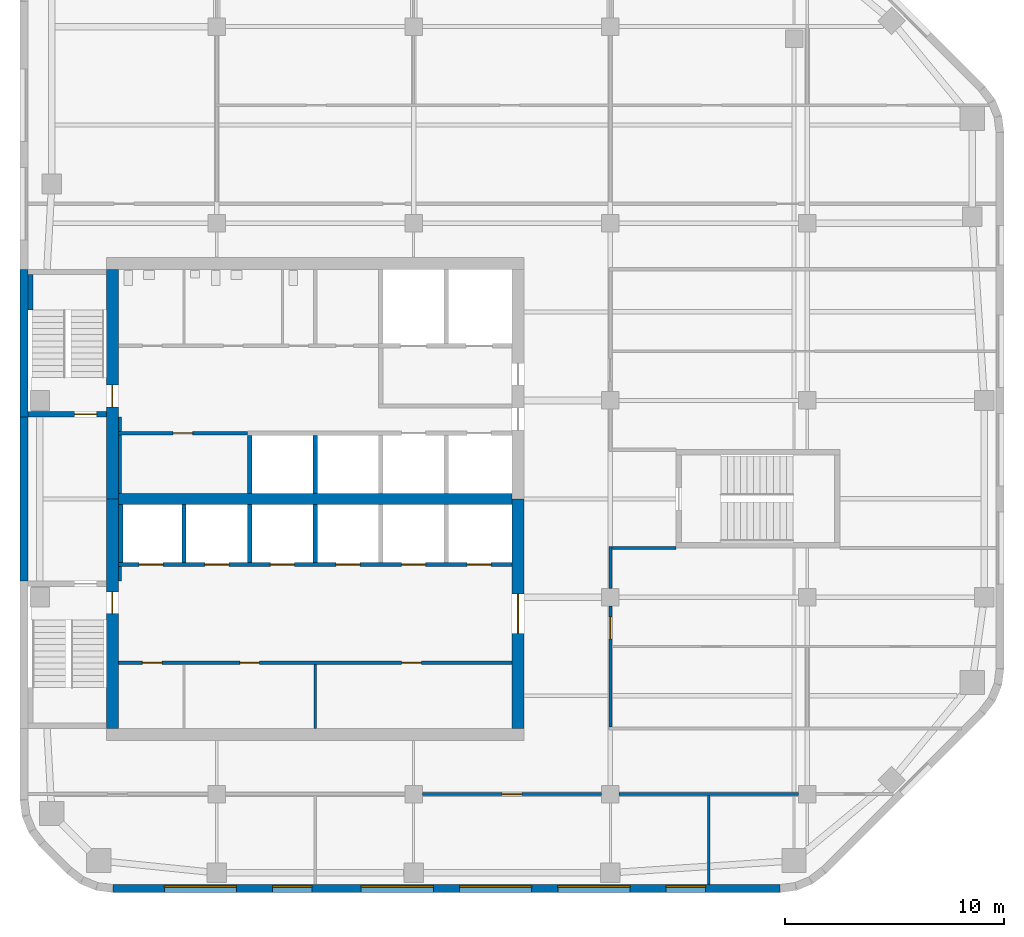
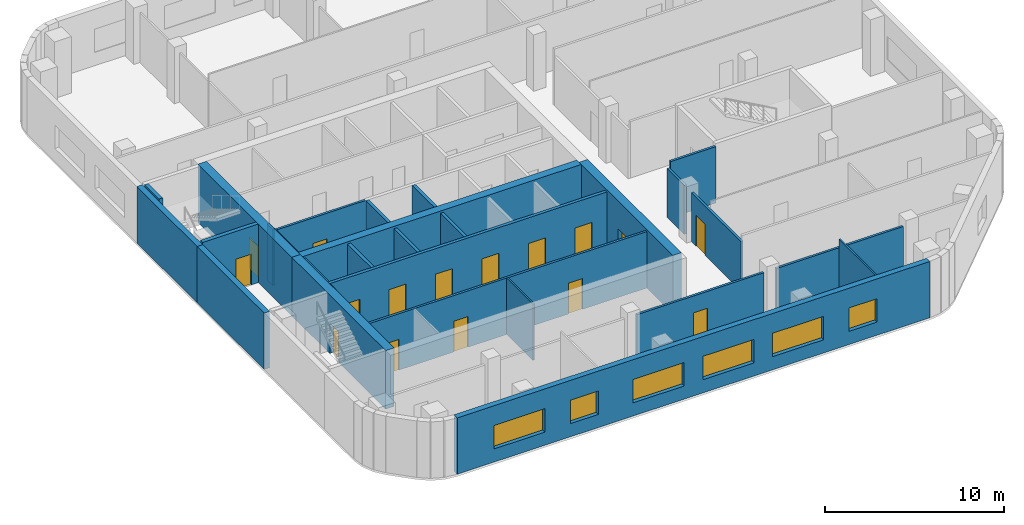
# One storey, part 3 of 8: 28 walls, 16 doors, 6 windows, 22 openings.
"""IFC4 building model written with IfcOpenShell, lengths in metres."""

from ifc_helpers import new_model, si_unit, direction, frame, frame_2d, origin, place, context, subcontext, project, spatial, rectangle, extrude, material, layer, layer_set, type_object, element, fill, save


model = new_model("IFC4")

# Units and contexts
model_context = context("Model", 3, precision=1e-05, world=origin(), true_north=direction((0.0, 1.0)))
body_context = subcontext(model_context, "Body", "Model", "MODEL_VIEW")
ifc_project = project(units=[si_unit("LENGTHUNIT", "METRE"), si_unit("AREAUNIT", "SQUARE_METRE"), si_unit("VOLUMEUNIT", "CUBIC_METRE"), si_unit("PLANEANGLEUNIT", "RADIAN"), si_unit("MASSUNIT", "GRAM", prefix="KILO")], contexts=[model_context])

# Site, building, storey
site_placement = place(None, origin())
site = spatial("IfcSite", under=ifc_project, at=site_placement, CompositionType="ELEMENT")
building_placement = place(site_placement, origin())
building = spatial("IfcBuilding", under=site, at=building_placement, Name="Cinnabar Reach Civic Tower", CompositionType="ELEMENT")
storey_placement = place(building_placement, frame((0.0, 0.0, 202.0)))
storey = spatial("IfcBuildingStorey", under=building, at=storey_placement, Name="L48", CompositionType="ELEMENT", Elevation=202.0)

# Wall, openings, windows
ifc_material_1 = material(Name="Facing brick with insulated backing", Category="masonry")
ifc_layer_1 = layer(ifc_material_1, 0.36)
ifc_layer_set_1 = layer_set([ifc_layer_1], Name="Brick pier and spandrel wall")
wall_type_1 = type_object("IfcWallType", Name="Brick pier and spandrel wall", PredefinedType="STANDARD", material=ifc_layer_set_1)
wall_1_placement = place(storey_placement, frame((4.2426, 13.68, 0.0), z_axis=(0.0, 0.0, 1.0), x_axis=(1.0, 0.0, 0.0)))
wall_1 = element("IfcWall", 1, at=wall_1_placement, inside=storey, type_object=wall_type_1, Name="Brick facade wall", PredefinedType="STANDARD", context=body_context, shape_type="SweptSolid", body=[
    extrude(rectangle(XDim=30.5148, YDim=0.36, at=frame_2d((15.2574, 0.0))), origin(), (0.0, 0.0, 1.0), 3.85),
])
opening_1_placement = place(wall_1_placement, frame((2.3574, 0.0, 0.9)))
opening_1 = element("IfcOpeningElement", 2, at=opening_1_placement, cuts=wall_1, Name="Opening W1980", PredefinedType="OPENING", context=body_context, shape_type="SweptSolid", body=[
    extrude(rectangle(XDim=3.3, YDim=1.6, at=frame_2d((1.65, 0.8))), frame((0.0, 0.19, 0.0), z_axis=(0.0, -1.0, 0.0), x_axis=(1.0, 0.0, 0.0)), (0.0, 0.0, 1.0), 0.38),
])
opening_2_placement = place(wall_1_placement, frame((7.3074, 0.0, 0.9)))
opening_2 = element("IfcOpeningElement", 3, at=opening_2_placement, cuts=wall_1, Name="Opening W1981", PredefinedType="OPENING", context=body_context, shape_type="SweptSolid", body=[
    extrude(rectangle(XDim=1.8, YDim=1.6, at=frame_2d((0.9, 0.8))), frame((0.0, 0.19, 0.0), z_axis=(0.0, -1.0, 0.0), x_axis=(1.0, 0.0, 0.0)), (0.0, 0.0, 1.0), 0.38),
])
opening_3_placement = place(wall_1_placement, frame((11.3574, 0.0, 0.9)))
opening_3 = element("IfcOpeningElement", 4, at=opening_3_placement, cuts=wall_1, Name="Opening W1982", PredefinedType="OPENING", context=body_context, shape_type="SweptSolid", body=[
    extrude(rectangle(XDim=3.3, YDim=1.6, at=frame_2d((1.65, 0.8))), frame((0.0, 0.19, 0.0), z_axis=(0.0, -1.0, 0.0), x_axis=(1.0, 0.0, 0.0)), (0.0, 0.0, 1.0), 0.38),
])
opening_4_placement = place(wall_1_placement, frame((15.8574, 0.0, 0.9)))
opening_4 = element("IfcOpeningElement", 5, at=opening_4_placement, cuts=wall_1, Name="Opening W1983", PredefinedType="OPENING", context=body_context, shape_type="SweptSolid", body=[
    extrude(rectangle(XDim=3.3, YDim=1.6, at=frame_2d((1.65, 0.8))), frame((0.0, 0.19, 0.0), z_axis=(0.0, -1.0, 0.0), x_axis=(1.0, 0.0, 0.0)), (0.0, 0.0, 1.0), 0.38),
])
opening_5_placement = place(wall_1_placement, frame((20.3574, 0.0, 0.9)))
opening_5 = element("IfcOpeningElement", 6, at=opening_5_placement, cuts=wall_1, Name="Opening W1984", PredefinedType="OPENING", context=body_context, shape_type="SweptSolid", body=[
    extrude(rectangle(XDim=3.3, YDim=1.6, at=frame_2d((1.65, 0.8))), frame((0.0, 0.19, 0.0), z_axis=(0.0, -1.0, 0.0), x_axis=(1.0, 0.0, 0.0)), (0.0, 0.0, 1.0), 0.38),
])
opening_6_placement = place(wall_1_placement, frame((25.3074, 0.0, 0.9)))
opening_6 = element("IfcOpeningElement", 7, at=opening_6_placement, cuts=wall_1, Name="Opening W1985", PredefinedType="OPENING", context=body_context, shape_type="SweptSolid", body=[
    extrude(rectangle(XDim=1.8, YDim=1.6, at=frame_2d((0.9, 0.8))), frame((0.0, 0.19, 0.0), z_axis=(0.0, -1.0, 0.0), x_axis=(1.0, 0.0, 0.0)), (0.0, 0.0, 1.0), 0.38),
])
ifc_material_2 = material(Name="Clear double glazing in aluminium frame", Category="aluminium")
window_type_1 = type_object("IfcWindowType", Name="Deep-set window A", PartitioningType="SINGLE_PANEL", PredefinedType="WINDOW", material=ifc_material_2)
window_1_placement = place(opening_1_placement, origin())
window_1 = element("IfcWindow", 8, at=window_1_placement, inside=storey, type_object=window_type_1, Name="Window south face", OverallHeight=1.6, OverallWidth=3.3, PartitioningType="SINGLE_PANEL", PredefinedType="WINDOW", context=body_context, shape_type="SweptSolid", body=[
    extrude(rectangle(XDim=3.3, YDim=1.6, at=frame_2d((1.65, 0.8))), frame((0.0, 0.13, 0.0), z_axis=(0.0, -1.0, 0.0), x_axis=(1.0, 0.0, 0.0)), (0.0, 0.0, 1.0), 0.06),
])
fill(opening_1, window_1)
window_2_placement = place(opening_3_placement, origin())
window_2 = element("IfcWindow", 9, at=window_2_placement, inside=storey, type_object=window_type_1, Name="Window south face", OverallHeight=1.6, OverallWidth=3.3, PartitioningType="SINGLE_PANEL", PredefinedType="WINDOW", context=body_context, shape_type="SweptSolid", body=[
    extrude(rectangle(XDim=3.3, YDim=1.6, at=frame_2d((1.65, 0.8))), frame((0.0, 0.13, 0.0), z_axis=(0.0, -1.0, 0.0), x_axis=(1.0, 0.0, 0.0)), (0.0, 0.0, 1.0), 0.06),
])
fill(opening_3, window_2)
window_3_placement = place(opening_4_placement, origin())
window_3 = element("IfcWindow", 10, at=window_3_placement, inside=storey, type_object=window_type_1, Name="Window south face", OverallHeight=1.6, OverallWidth=3.3, PartitioningType="SINGLE_PANEL", PredefinedType="WINDOW", context=body_context, shape_type="SweptSolid", body=[
    extrude(rectangle(XDim=3.3, YDim=1.6, at=frame_2d((1.65, 0.8))), frame((0.0, 0.13, 0.0), z_axis=(0.0, -1.0, 0.0), x_axis=(1.0, 0.0, 0.0)), (0.0, 0.0, 1.0), 0.06),
])
fill(opening_4, window_3)
window_4_placement = place(opening_5_placement, origin())
window_4 = element("IfcWindow", 11, at=window_4_placement, inside=storey, type_object=window_type_1, Name="Window south face", OverallHeight=1.6, OverallWidth=3.3, PartitioningType="SINGLE_PANEL", PredefinedType="WINDOW", context=body_context, shape_type="SweptSolid", body=[
    extrude(rectangle(XDim=3.3, YDim=1.6, at=frame_2d((1.65, 0.8))), frame((0.0, 0.13, 0.0), z_axis=(0.0, -1.0, 0.0), x_axis=(1.0, 0.0, 0.0)), (0.0, 0.0, 1.0), 0.06),
])
fill(opening_5, window_4)
window_type_2 = type_object("IfcWindowType", Name="Deep-set window D", PartitioningType="SINGLE_PANEL", PredefinedType="WINDOW", material=ifc_material_2)
window_5_placement = place(opening_2_placement, origin())
window_5 = element("IfcWindow", 12, at=window_5_placement, inside=storey, type_object=window_type_2, Name="Window south face", OverallHeight=1.6, OverallWidth=1.8, PartitioningType="SINGLE_PANEL", PredefinedType="WINDOW", context=body_context, shape_type="SweptSolid", body=[
    extrude(rectangle(XDim=1.8, YDim=1.6, at=frame_2d((0.9, 0.8))), frame((0.0, 0.13, 0.0), z_axis=(0.0, -1.0, 0.0), x_axis=(1.0, 0.0, 0.0)), (0.0, 0.0, 1.0), 0.06),
])
fill(opening_2, window_5)
window_6_placement = place(opening_6_placement, origin())
window_6 = element("IfcWindow", 13, at=window_6_placement, inside=storey, type_object=window_type_2, Name="Window south face", OverallHeight=1.6, OverallWidth=1.8, PartitioningType="SINGLE_PANEL", PredefinedType="WINDOW", context=body_context, shape_type="SweptSolid", body=[
    extrude(rectangle(XDim=1.8, YDim=1.6, at=frame_2d((0.9, 0.8))), frame((0.0, 0.13, 0.0), z_axis=(0.0, -1.0, 0.0), x_axis=(1.0, 0.0, 0.0)), (0.0, 0.0, 1.0), 0.06),
])
fill(opening_6, window_6)

# Walls
wall_2_placement = place(storey_placement, frame((0.18, 42.0, 0.0), z_axis=(0.0, 0.0, 1.0), x_axis=(0.0, -1.0, 0.0)))
element("IfcWall", 14, at=wall_2_placement, inside=storey, type_object=wall_type_1, Name="Brick facade wall", PredefinedType="STANDARD", context=body_context, shape_type="SweptSolid", body=[
    extrude(rectangle(XDim=6.75, YDim=0.36, at=frame_2d((3.375, 0.0))), origin(), (0.0, 0.0, 1.0), 3.85),
])
wall_3_placement = place(storey_placement, frame((0.18, 35.25, 0.0), z_axis=(0.0, 0.0, 1.0), x_axis=(0.0, -1.0, 0.0)))
element("IfcWall", 15, at=wall_3_placement, inside=storey, type_object=wall_type_1, Name="Brick facade wall", PredefinedType="STANDARD", context=body_context, shape_type="SweptSolid", body=[
    extrude(rectangle(XDim=7.5, YDim=0.36, at=frame_2d((3.75, 0.0))), origin(), (0.0, 0.0, 1.0), 3.85),
])
ifc_material_3 = material(Name="Concrete C60", Category="concrete")
ifc_layer_2 = layer(ifc_material_3, 0.5)
ifc_layer_set_2 = layer_set([ifc_layer_2], Name="Core wall 500 EI 180")
wall_type_2 = type_object("IfcWallType", Name="Core wall 500 EI 180", PredefinedType="SOLIDWALL", material=ifc_layer_set_2)
wall_4_placement = place(storey_placement, frame((4.5, 31.5, 0.0), z_axis=(0.0, 0.0, 1.0), x_axis=(1.0, 0.0, 0.0)))
element("IfcWall", 16, at=wall_4_placement, inside=storey, type_object=wall_type_2, Name="Core spine wall T1 L48", PredefinedType="SOLIDWALL", context=body_context, shape_type="SweptSolid", body=[
    extrude(rectangle(XDim=18.0, YDim=0.5, at=frame_2d((9.0, 0.0))), origin(), (0.0, 0.0, 1.0), 4.0),
])

# Wall, opening, door
ifc_layer_3 = layer(ifc_material_3, 0.55)
ifc_layer_set_3 = layer_set([ifc_layer_3], Name="Core wall 550 EI 180")
wall_type_3 = type_object("IfcWallType", Name="Core wall 550 EI 180", PredefinedType="SOLIDWALL", material=ifc_layer_set_3)
wall_5_placement = place(storey_placement, frame((22.775, 21.0, 0.0), z_axis=(0.0, 0.0, 1.0), x_axis=(0.0, 1.0, 0.0)))
wall_5 = element("IfcWall", 17, at=wall_5_placement, inside=storey, type_object=wall_type_3, Name="Core wall T1 L48 E", PredefinedType="SOLIDWALL", context=body_context, shape_type="SweptSolid", body=[
    extrude(rectangle(XDim=10.5, YDim=0.55, at=frame_2d((5.25, 0.0))), origin(), (0.0, 0.0, 1.0), 4.0),
])
opening_7_placement = place(wall_5_placement, frame((4.35, 0.0, 0.0)))
opening_7 = element("IfcOpeningElement", 18, at=opening_7_placement, cuts=wall_5, Name="Opening D4966", PredefinedType="OPENING", context=body_context, shape_type="SweptSolid", body=[
    extrude(rectangle(XDim=1.8, YDim=2.1, at=frame_2d((0.9, 1.05))), frame((0.0, 0.285, 0.0), z_axis=(0.0, -1.0, 0.0), x_axis=(1.0, 0.0, 0.0)), (0.0, 0.0, 1.0), 0.57),
])
ifc_material_4 = material(Name="Timber door leaf in steel frame", Category="steel")
door_type_1 = type_object("IfcDoorType", Name="Double swing door 1800 x 2100 T1", OperationType="DOUBLE_DOOR_DOUBLE_SWING", PredefinedType="DOOR", material=ifc_material_4)
door_1_placement = place(opening_7_placement, origin())
door_1 = element("IfcDoor", 19, at=door_1_placement, inside=storey, type_object=door_type_1, Name="Door D4966", OperationType="DOUBLE_DOOR_DOUBLE_SWING", OverallHeight=2.1, OverallWidth=1.8, PredefinedType="DOOR", context=body_context, shape_type="SweptSolid", body=[
    extrude(rectangle(XDim=1.8, YDim=2.1, at=frame_2d((0.9, 1.05))), frame((0.0, 0.025, 0.0), z_axis=(0.0, -1.0, 0.0), x_axis=(1.0, 0.0, 0.0)), (0.0, 0.0, 1.0), 0.05),
])
fill(opening_7, door_1)

wall_6_placement = place(storey_placement, frame((4.225, 42.0, 0.0), z_axis=(0.0, 0.0, 1.0), x_axis=(0.0, -1.0, 0.0)))
wall_6 = element("IfcWall", 20, at=wall_6_placement, inside=storey, type_object=wall_type_3, Name="Core wall T1 L48 W", PredefinedType="SOLIDWALL", context=body_context, shape_type="SweptSolid", body=[
    extrude(rectangle(XDim=10.5, YDim=0.55, at=frame_2d((5.25, 0.0))), origin(), (0.0, 0.0, 1.0), 4.0),
])
opening_8_placement = place(wall_6_placement, frame((5.3, 0.0, 0.0)))
opening_8 = element("IfcOpeningElement", 21, at=opening_8_placement, cuts=wall_6, Name="Opening D4954", PredefinedType="OPENING", context=body_context, shape_type="SweptSolid", body=[
    extrude(rectangle(XDim=1.0, YDim=2.1, at=frame_2d((0.5, 1.05))), frame((0.0, 0.285, 0.0), z_axis=(0.0, -1.0, 0.0), x_axis=(1.0, 0.0, 0.0)), (0.0, 0.0, 1.0), 0.57),
])
door_type_2 = type_object("IfcDoorType", Name="Stair door 1000 x 2100 T1", OperationType="SINGLE_SWING_LEFT", PredefinedType="DOOR", material=ifc_material_4)
door_2_placement = place(opening_8_placement, frame((1.0, 0.0, 0.0), z_axis=(0.0, 0.0, 1.0), x_axis=(-1.0, 0.0, 0.0)))
door_2 = element("IfcDoor", 22, at=door_2_placement, inside=storey, type_object=door_type_2, Name="Door D4954", OperationType="SINGLE_SWING_LEFT", OverallHeight=2.1, OverallWidth=1.0, PredefinedType="DOOR", context=body_context, shape_type="SweptSolid", body=[
    extrude(rectangle(XDim=1.0, YDim=2.1, at=frame_2d((0.5, 1.05))), frame((0.0, 0.025, 0.0), z_axis=(0.0, -1.0, 0.0), x_axis=(1.0, 0.0, 0.0)), (0.0, 0.0, 1.0), 0.05),
])
fill(opening_8, door_2)

wall_7_placement = place(storey_placement, frame((4.225, 31.5, 0.0), z_axis=(0.0, 0.0, 1.0), x_axis=(0.0, -1.0, 0.0)))
wall_7 = element("IfcWall", 23, at=wall_7_placement, inside=storey, type_object=wall_type_3, Name="Core wall T1 L48 W2", PredefinedType="SOLIDWALL", context=body_context, shape_type="SweptSolid", body=[
    extrude(rectangle(XDim=10.5, YDim=0.55, at=frame_2d((5.25, 0.0))), origin(), (0.0, 0.0, 1.0), 4.0),
])
opening_9_placement = place(wall_7_placement, frame((4.25, 0.0, 0.0)))
opening_9 = element("IfcOpeningElement", 24, at=opening_9_placement, cuts=wall_7, Name="Opening D4952", PredefinedType="OPENING", context=body_context, shape_type="SweptSolid", body=[
    extrude(rectangle(XDim=1.0, YDim=2.1, at=frame_2d((0.5, 1.05))), frame((0.0, 0.285, 0.0), z_axis=(0.0, -1.0, 0.0), x_axis=(1.0, 0.0, 0.0)), (0.0, 0.0, 1.0), 0.57),
])
door_3_placement = place(opening_9_placement, frame((1.0, 0.0, 0.0), z_axis=(0.0, 0.0, 1.0), x_axis=(-1.0, 0.0, 0.0)))
door_3 = element("IfcDoor", 25, at=door_3_placement, inside=storey, type_object=door_type_2, Name="Door D4952", OperationType="SINGLE_SWING_RIGHT", OverallHeight=2.1, OverallWidth=1.0, PredefinedType="DOOR", context=body_context, shape_type="SweptSolid", body=[
    extrude(rectangle(XDim=1.0, YDim=2.1, at=frame_2d((0.5, 1.05))), frame((0.0, 0.025, 0.0), z_axis=(0.0, -1.0, 0.0), x_axis=(1.0, 0.0, 0.0)), (0.0, 0.0, 1.0), 0.05),
])
fill(opening_9, door_3)

# Wall
ifc_material_5 = material(Name="Gypsum board on steel studs, double layer", Category="steel")
ifc_layer_4 = layer(ifc_material_5, 0.15)
ifc_layer_set_4 = layer_set([ifc_layer_4], Name="Corridor wall 150 T1")
wall_type_4 = type_object("IfcWallType", Name="Corridor wall 150 T1", PredefinedType="PARTITIONING", material=ifc_layer_set_4)
wall_8_placement = place(storey_placement, frame((27.4, 18.0, 0.0), z_axis=(0.0, 0.0, 1.0), x_axis=(1.0, 0.0, 0.0)))
element("IfcWall", 26, at=wall_8_placement, inside=storey, type_object=wall_type_4, Name="Corridor wall 20", PredefinedType="PARTITIONING", context=body_context, shape_type="SweptSolid", body=[
    extrude(rectangle(XDim=8.2, YDim=0.15, at=frame_2d((4.1, 0.0))), origin(), (0.0, 0.0, 1.0), 3.254),
])

# Wall, opening, door
wall_9_placement = place(storey_placement, frame((18.4, 18.0, 0.0), z_axis=(0.0, 0.0, 1.0), x_axis=(1.0, 0.0, 0.0)))
wall_9 = element("IfcWall", 27, at=wall_9_placement, inside=storey, type_object=wall_type_4, Name="Corridor wall 21", PredefinedType="PARTITIONING", context=body_context, shape_type="SweptSolid", body=[
    extrude(rectangle(XDim=8.2, YDim=0.15, at=frame_2d((4.1, 0.0))), origin(), (0.0, 0.0, 1.0), 3.254),
])
opening_10_placement = place(wall_9_placement, frame((3.65, 0.0, 0.0)))
opening_10 = element("IfcOpeningElement", 28, at=opening_10_placement, cuts=wall_9, Name="Opening D4984", PredefinedType="OPENING", context=body_context, shape_type="SweptSolid", body=[
    extrude(rectangle(XDim=0.9, YDim=2.1, at=frame_2d((0.45, 1.05))), frame((0.0, 0.085, 0.0), z_axis=(0.0, -1.0, 0.0), x_axis=(1.0, 0.0, 0.0)), (0.0, 0.0, 1.0), 0.17),
])
door_type_3 = type_object("IfcDoorType", Name="Single swing door 900 x 2100 corridor T1", OperationType="SINGLE_SWING_LEFT", PredefinedType="DOOR", material=ifc_material_4)
door_4_placement = place(opening_10_placement, frame((0.9, 0.0, 0.0), z_axis=(0.0, 0.0, 1.0), x_axis=(-1.0, 0.0, 0.0)))
door_4 = element("IfcDoor", 29, at=door_4_placement, inside=storey, type_object=door_type_3, Name="Door D4984", OperationType="SINGLE_SWING_LEFT", OverallHeight=2.1, OverallWidth=0.9, PredefinedType="DOOR", context=body_context, shape_type="SweptSolid", body=[
    extrude(rectangle(XDim=0.9, YDim=2.1, at=frame_2d((0.45, 1.05))), frame((0.0, 0.025, 0.0), z_axis=(0.0, -1.0, 0.0), x_axis=(1.0, 0.0, 0.0)), (0.0, 0.0, 1.0), 0.05),
])
fill(opening_10, door_4)

# Wall, openings, doors
wall_10_placement = place(storey_placement, frame((4.5, 24.0, 0.0), z_axis=(0.0, 0.0, 1.0), x_axis=(1.0, 0.0, 0.0)))
wall_10 = element("IfcWall", 30, at=wall_10_placement, inside=storey, type_object=wall_type_4, Name="Corridor wall 24", PredefinedType="PARTITIONING", context=body_context, shape_type="SweptSolid", body=[
    extrude(rectangle(XDim=18.0, YDim=0.15, at=frame_2d((9.0, 0.0))), origin(), (0.0, 0.0, 1.0), 3.85),
])
opening_11_placement = place(wall_10_placement, frame((1.1, 0.0, 0.0)))
opening_11 = element("IfcOpeningElement", 31, at=opening_11_placement, cuts=wall_10, Name="Opening D4970", PredefinedType="OPENING", context=body_context, shape_type="SweptSolid", body=[
    extrude(rectangle(XDim=0.9, YDim=2.1, at=frame_2d((0.45, 1.05))), frame((0.0, 0.085, 0.0), z_axis=(0.0, -1.0, 0.0), x_axis=(1.0, 0.0, 0.0)), (0.0, 0.0, 1.0), 0.17),
])
opening_12_placement = place(wall_10_placement, frame((5.55, 0.0, 0.0)))
opening_12 = element("IfcOpeningElement", 32, at=opening_12_placement, cuts=wall_10, Name="Opening D4971", PredefinedType="OPENING", context=body_context, shape_type="SweptSolid", body=[
    extrude(rectangle(XDim=0.9, YDim=2.1, at=frame_2d((0.45, 1.05))), frame((0.0, 0.085, 0.0), z_axis=(0.0, -1.0, 0.0), x_axis=(1.0, 0.0, 0.0)), (0.0, 0.0, 1.0), 0.17),
])
opening_13_placement = place(wall_10_placement, frame((12.95, 0.0, 0.0)))
opening_13 = element("IfcOpeningElement", 33, at=opening_13_placement, cuts=wall_10, Name="Opening D4972", PredefinedType="OPENING", context=body_context, shape_type="SweptSolid", body=[
    extrude(rectangle(XDim=0.9, YDim=2.1, at=frame_2d((0.45, 1.05))), frame((0.0, 0.085, 0.0), z_axis=(0.0, -1.0, 0.0), x_axis=(1.0, 0.0, 0.0)), (0.0, 0.0, 1.0), 0.17),
])
door_5_placement = place(opening_11_placement, frame((0.9, 0.0, 0.0), z_axis=(0.0, 0.0, 1.0), x_axis=(-1.0, 0.0, 0.0)))
door_5 = element("IfcDoor", 34, at=door_5_placement, inside=storey, type_object=door_type_3, Name="Door D4970", OperationType="SINGLE_SWING_RIGHT", OverallHeight=2.1, OverallWidth=0.9, PredefinedType="DOOR", context=body_context, shape_type="SweptSolid", body=[
    extrude(rectangle(XDim=0.9, YDim=2.1, at=frame_2d((0.45, 1.05))), frame((0.0, 0.025, 0.0), z_axis=(0.0, -1.0, 0.0), x_axis=(1.0, 0.0, 0.0)), (0.0, 0.0, 1.0), 0.05),
])
fill(opening_11, door_5)
door_6_placement = place(opening_12_placement, frame((0.9, 0.0, 0.0), z_axis=(0.0, 0.0, 1.0), x_axis=(-1.0, 0.0, 0.0)))
door_6 = element("IfcDoor", 35, at=door_6_placement, inside=storey, type_object=door_type_3, Name="Door D4971", OperationType="SINGLE_SWING_RIGHT", OverallHeight=2.1, OverallWidth=0.9, PredefinedType="DOOR", context=body_context, shape_type="SweptSolid", body=[
    extrude(rectangle(XDim=0.9, YDim=2.1, at=frame_2d((0.45, 1.05))), frame((0.0, 0.025, 0.0), z_axis=(0.0, -1.0, 0.0), x_axis=(1.0, 0.0, 0.0)), (0.0, 0.0, 1.0), 0.05),
])
fill(opening_12, door_6)
door_7_placement = place(opening_13_placement, frame((0.9, 0.0, 0.0), z_axis=(0.0, 0.0, 1.0), x_axis=(-1.0, 0.0, 0.0)))
door_7 = element("IfcDoor", 36, at=door_7_placement, inside=storey, type_object=door_type_3, Name="Door D4972", OperationType="SINGLE_SWING_LEFT", OverallHeight=2.1, OverallWidth=0.9, PredefinedType="DOOR", context=body_context, shape_type="SweptSolid", body=[
    extrude(rectangle(XDim=0.9, YDim=2.1, at=frame_2d((0.45, 1.05))), frame((0.0, 0.025, 0.0), z_axis=(0.0, -1.0, 0.0), x_axis=(1.0, 0.0, 0.0)), (0.0, 0.0, 1.0), 0.05),
])
fill(opening_13, door_7)

# Wall, opening, door
wall_11_placement = place(storey_placement, frame((27.0, 21.075, 0.0), z_axis=(0.0, 0.0, 1.0), x_axis=(0.0, 1.0, 0.0)))
wall_11 = element("IfcWall", 37, at=wall_11_placement, inside=storey, type_object=wall_type_4, Name="Corridor wall 28", PredefinedType="PARTITIONING", context=body_context, shape_type="SweptSolid", body=[
    extrude(rectangle(XDim=5.525, YDim=0.15, at=frame_2d((2.7625, 0.0))), origin(), (0.0, 0.0, 1.0), 3.35),
])
opening_14_placement = place(wall_11_placement, frame((4.025, 0.0, 0.0)))
opening_14 = element("IfcOpeningElement", 38, at=opening_14_placement, cuts=wall_11, Name="Opening D4980", PredefinedType="OPENING", context=body_context, shape_type="SweptSolid", body=[
    extrude(rectangle(XDim=1.0, YDim=2.1, at=frame_2d((0.5, 1.05))), frame((0.0, 0.085, 0.0), z_axis=(0.0, -1.0, 0.0), x_axis=(1.0, 0.0, 0.0)), (0.0, 0.0, 1.0), 0.17),
])
door_type_4 = type_object("IfcDoorType", Name="Tenancy entrance door 1000 x 2100 T1", OperationType="SINGLE_SWING_LEFT", PredefinedType="DOOR", material=ifc_material_4)
door_8_placement = place(opening_14_placement, frame((1.0, 0.0, 0.0), z_axis=(0.0, 0.0, 1.0), x_axis=(-1.0, 0.0, 0.0)))
door_8 = element("IfcDoor", 39, at=door_8_placement, inside=storey, type_object=door_type_4, Name="Door D4980", OperationType="SINGLE_SWING_RIGHT", OverallHeight=2.1, OverallWidth=1.0, PredefinedType="DOOR", context=body_context, shape_type="SweptSolid", body=[
    extrude(rectangle(XDim=1.0, YDim=2.1, at=frame_2d((0.5, 1.05))), frame((0.0, 0.025, 0.0), z_axis=(0.0, -1.0, 0.0), x_axis=(1.0, 0.0, 0.0)), (0.0, 0.0, 1.0), 0.05),
])
fill(opening_14, door_8)

# Wall
wall_12_placement = place(storey_placement, frame((27.0, 27.4, 0.0), z_axis=(0.0, 0.0, 1.0), x_axis=(0.0, 1.0, 0.0)))
element("IfcWall", 40, at=wall_12_placement, inside=storey, type_object=wall_type_4, Name="Corridor wall 29", PredefinedType="PARTITIONING", context=body_context, shape_type="SweptSolid", body=[
    extrude(rectangle(XDim=1.925, YDim=0.15, at=frame_2d((0.9625, 0.0))), origin(), (0.0, 0.0, 1.0), 3.35),
])

# Wall, opening, door
wall_13_placement = place(storey_placement, frame((4.5, 34.5, 0.0), z_axis=(0.0, 0.0, 1.0), x_axis=(1.0, 0.0, 0.0)))
wall_13 = element("IfcWall", 41, at=wall_13_placement, inside=storey, type_object=wall_type_4, Name="Corridor wall 32", PredefinedType="PARTITIONING", context=body_context, shape_type="SweptSolid", body=[
    extrude(rectangle(XDim=5.9, YDim=0.15, at=frame_2d((2.95, 0.0))), origin(), (0.0, 0.0, 1.0), 3.85),
])
opening_15_placement = place(wall_13_placement, frame((2.5, 0.0, 0.0)))
opening_15 = element("IfcOpeningElement", 42, at=opening_15_placement, cuts=wall_13, Name="Opening D4973", PredefinedType="OPENING", context=body_context, shape_type="SweptSolid", body=[
    extrude(rectangle(XDim=0.9, YDim=2.1, at=frame_2d((0.45, 1.05))), frame((0.0, 0.085, 0.0), z_axis=(0.0, -1.0, 0.0), x_axis=(1.0, 0.0, 0.0)), (0.0, 0.0, 1.0), 0.17),
])
door_9_placement = place(opening_15_placement, frame((0.9, 0.0, 0.0), z_axis=(0.0, 0.0, 1.0), x_axis=(-1.0, 0.0, 0.0)))
door_9 = element("IfcDoor", 43, at=door_9_placement, inside=storey, type_object=door_type_3, Name="Door D4973", OperationType="SINGLE_SWING_RIGHT", OverallHeight=2.1, OverallWidth=0.9, PredefinedType="DOOR", context=body_context, shape_type="SweptSolid", body=[
    extrude(rectangle(XDim=0.9, YDim=2.1, at=frame_2d((0.45, 1.05))), frame((0.0, 0.025, 0.0), z_axis=(0.0, -1.0, 0.0), x_axis=(1.0, 0.0, 0.0)), (0.0, 0.0, 1.0), 0.05),
])
fill(opening_15, door_9)

# Walls
wall_14_placement = place(storey_placement, frame((4.575, 34.575, 0.0), z_axis=(0.0, 0.0, 1.0), x_axis=(0.0, 1.0, 0.0)))
element("IfcWall", 44, at=wall_14_placement, inside=storey, type_object=wall_type_4, Name="Corridor wall 33", PredefinedType="PARTITIONING", context=body_context, shape_type="SweptSolid", body=[
    extrude(rectangle(XDim=0.675, YDim=0.15, at=frame_2d((0.3375, 0.0))), origin(), (0.0, 0.0, 1.0), 3.85),
])
wall_15_placement = place(storey_placement, frame((4.575, 31.75, 0.0), z_axis=(0.0, 0.0, 1.0), x_axis=(0.0, 1.0, 0.0)))
element("IfcWall", 45, at=wall_15_placement, inside=storey, type_object=wall_type_4, Name="Corridor wall 34", PredefinedType="PARTITIONING", context=body_context, shape_type="SweptSolid", body=[
    extrude(rectangle(XDim=2.675, YDim=0.15, at=frame_2d((1.3375, 0.0))), origin(), (0.0, 0.0, 1.0), 3.85),
])
wall_16_placement = place(storey_placement, frame((27.075, 29.25, 0.0), z_axis=(0.0, 0.0, 1.0), x_axis=(1.0, 0.0, 0.0)))
element("IfcWall", 46, at=wall_16_placement, inside=storey, type_object=wall_type_4, Name="Corridor wall 35", PredefinedType="PARTITIONING", context=body_context, shape_type="SweptSolid", body=[
    extrude(rectangle(XDim=2.925, YDim=0.15, at=frame_2d((1.4625, 0.0))), origin(), (0.0, 0.0, 1.0), 3.85),
])
wall_17_placement = place(storey_placement, frame((4.575, 27.75, 0.0), z_axis=(0.0, 0.0, 1.0), x_axis=(0.0, 1.0, 0.0)))
element("IfcWall", 47, at=wall_17_placement, inside=storey, type_object=wall_type_4, Name="Corridor wall 37", PredefinedType="PARTITIONING", context=body_context, shape_type="SweptSolid", body=[
    extrude(rectangle(XDim=0.65, YDim=0.15, at=frame_2d((0.325, 0.0))), origin(), (0.0, 0.0, 1.0), 3.85),
])

# Wall, openings, doors
ifc_material_6 = material(Name="Blockwork", Category="masonry")
ifc_layer_5 = layer(ifc_material_6, 0.2)
ifc_layer_set_5 = layer_set([ifc_layer_5], Name="Lift shaft wall 200 T1")
wall_type_5 = type_object("IfcWallType", Name="Lift shaft wall 200 T1", PredefinedType="PARTITIONING", material=ifc_layer_set_5)
wall_18_placement = place(storey_placement, frame((4.5, 28.5, 0.0), z_axis=(0.0, 0.0, 1.0), x_axis=(1.0, 0.0, 0.0)))
wall_18 = element("IfcWall", 48, at=wall_18_placement, inside=storey, type_object=wall_type_5, Name="Lift shaft wall 4", PredefinedType="PARTITIONING", context=body_context, shape_type="SweptSolid", body=[
    extrude(rectangle(XDim=18.0, YDim=0.2, at=frame_2d((9.0, 0.0))), origin(), (0.0, 0.0, 1.0), 3.85),
])
opening_16_placement = place(wall_18_placement, frame((0.95, 0.0, 0.0)))
opening_16 = element("IfcOpeningElement", 49, at=opening_16_placement, cuts=wall_18, Name="Opening D4956", PredefinedType="OPENING", context=body_context, shape_type="SweptSolid", body=[
    extrude(rectangle(XDim=1.1, YDim=2.1, at=frame_2d((0.55, 1.05))), frame((0.0, 0.11, 0.0), z_axis=(0.0, -1.0, 0.0), x_axis=(1.0, 0.0, 0.0)), (0.0, 0.0, 1.0), 0.22),
])
opening_17_placement = place(wall_18_placement, frame((3.95, 0.0, 0.0)))
opening_17 = element("IfcOpeningElement", 50, at=opening_17_placement, cuts=wall_18, Name="Opening D4957", PredefinedType="OPENING", context=body_context, shape_type="SweptSolid", body=[
    extrude(rectangle(XDim=1.1, YDim=2.1, at=frame_2d((0.55, 1.05))), frame((0.0, 0.11, 0.0), z_axis=(0.0, -1.0, 0.0), x_axis=(1.0, 0.0, 0.0)), (0.0, 0.0, 1.0), 0.22),
])
opening_18_placement = place(wall_18_placement, frame((6.95, 0.0, 0.0)))
opening_18 = element("IfcOpeningElement", 51, at=opening_18_placement, cuts=wall_18, Name="Opening D4958", PredefinedType="OPENING", context=body_context, shape_type="SweptSolid", body=[
    extrude(rectangle(XDim=1.1, YDim=2.1, at=frame_2d((0.55, 1.05))), frame((0.0, 0.11, 0.0), z_axis=(0.0, -1.0, 0.0), x_axis=(1.0, 0.0, 0.0)), (0.0, 0.0, 1.0), 0.22),
])
opening_19_placement = place(wall_18_placement, frame((9.95, 0.0, 0.0)))
opening_19 = element("IfcOpeningElement", 52, at=opening_19_placement, cuts=wall_18, Name="Opening D4959", PredefinedType="OPENING", context=body_context, shape_type="SweptSolid", body=[
    extrude(rectangle(XDim=1.1, YDim=2.1, at=frame_2d((0.55, 1.05))), frame((0.0, 0.11, 0.0), z_axis=(0.0, -1.0, 0.0), x_axis=(1.0, 0.0, 0.0)), (0.0, 0.0, 1.0), 0.22),
])
opening_20_placement = place(wall_18_placement, frame((12.95, 0.0, 0.0)))
opening_20 = element("IfcOpeningElement", 53, at=opening_20_placement, cuts=wall_18, Name="Opening D4960", PredefinedType="OPENING", context=body_context, shape_type="SweptSolid", body=[
    extrude(rectangle(XDim=1.1, YDim=2.1, at=frame_2d((0.55, 1.05))), frame((0.0, 0.11, 0.0), z_axis=(0.0, -1.0, 0.0), x_axis=(1.0, 0.0, 0.0)), (0.0, 0.0, 1.0), 0.22),
])
opening_21_placement = place(wall_18_placement, frame((15.95, 0.0, 0.0)))
opening_21 = element("IfcOpeningElement", 54, at=opening_21_placement, cuts=wall_18, Name="Opening D4961", PredefinedType="OPENING", context=body_context, shape_type="SweptSolid", body=[
    extrude(rectangle(XDim=1.1, YDim=2.1, at=frame_2d((0.55, 1.05))), frame((0.0, 0.11, 0.0), z_axis=(0.0, -1.0, 0.0), x_axis=(1.0, 0.0, 0.0)), (0.0, 0.0, 1.0), 0.22),
])
ifc_material_7 = material(Name="Stainless steel sliding door", Category="steel")
door_type_5 = type_object("IfcDoorType", Name="Lift landing door 1100 x 2100 T1", OperationType="SLIDING_TO_LEFT", PredefinedType="DOOR", material=ifc_material_7)
door_10_placement = place(opening_16_placement, origin())
door_10 = element("IfcDoor", 55, at=door_10_placement, inside=storey, type_object=door_type_5, Name="Lift landing door HR1 L48", OperationType="SLIDING_TO_LEFT", OverallHeight=2.1, OverallWidth=1.1, PredefinedType="DOOR", context=body_context, shape_type="SweptSolid", body=[
    extrude(rectangle(XDim=1.1, YDim=2.1, at=frame_2d((0.55, 1.05))), frame((0.0, 0.025, 0.0), z_axis=(0.0, -1.0, 0.0), x_axis=(1.0, 0.0, 0.0)), (0.0, 0.0, 1.0), 0.05),
])
fill(opening_16, door_10)
door_11_placement = place(opening_17_placement, origin())
door_11 = element("IfcDoor", 56, at=door_11_placement, inside=storey, type_object=door_type_5, Name="Lift landing door HR2 L48", OperationType="SLIDING_TO_LEFT", OverallHeight=2.1, OverallWidth=1.1, PredefinedType="DOOR", context=body_context, shape_type="SweptSolid", body=[
    extrude(rectangle(XDim=1.1, YDim=2.1, at=frame_2d((0.55, 1.05))), frame((0.0, 0.025, 0.0), z_axis=(0.0, -1.0, 0.0), x_axis=(1.0, 0.0, 0.0)), (0.0, 0.0, 1.0), 0.05),
])
fill(opening_17, door_11)
door_12_placement = place(opening_18_placement, origin())
door_12 = element("IfcDoor", 57, at=door_12_placement, inside=storey, type_object=door_type_5, Name="Lift landing door HR3 L48", OperationType="SLIDING_TO_LEFT", OverallHeight=2.1, OverallWidth=1.1, PredefinedType="DOOR", context=body_context, shape_type="SweptSolid", body=[
    extrude(rectangle(XDim=1.1, YDim=2.1, at=frame_2d((0.55, 1.05))), frame((0.0, 0.025, 0.0), z_axis=(0.0, -1.0, 0.0), x_axis=(1.0, 0.0, 0.0)), (0.0, 0.0, 1.0), 0.05),
])
fill(opening_18, door_12)
door_13_placement = place(opening_19_placement, origin())
door_13 = element("IfcDoor", 58, at=door_13_placement, inside=storey, type_object=door_type_5, Name="Lift landing door HR4 L48", OperationType="SLIDING_TO_LEFT", OverallHeight=2.1, OverallWidth=1.1, PredefinedType="DOOR", context=body_context, shape_type="SweptSolid", body=[
    extrude(rectangle(XDim=1.1, YDim=2.1, at=frame_2d((0.55, 1.05))), frame((0.0, 0.025, 0.0), z_axis=(0.0, -1.0, 0.0), x_axis=(1.0, 0.0, 0.0)), (0.0, 0.0, 1.0), 0.05),
])
fill(opening_19, door_13)
door_14_placement = place(opening_20_placement, origin())
door_14 = element("IfcDoor", 59, at=door_14_placement, inside=storey, type_object=door_type_5, Name="Lift landing door HR5 L48", OperationType="SLIDING_TO_LEFT", OverallHeight=2.1, OverallWidth=1.1, PredefinedType="DOOR", context=body_context, shape_type="SweptSolid", body=[
    extrude(rectangle(XDim=1.1, YDim=2.1, at=frame_2d((0.55, 1.05))), frame((0.0, 0.025, 0.0), z_axis=(0.0, -1.0, 0.0), x_axis=(1.0, 0.0, 0.0)), (0.0, 0.0, 1.0), 0.05),
])
fill(opening_20, door_14)
door_15_placement = place(opening_21_placement, origin())
door_15 = element("IfcDoor", 60, at=door_15_placement, inside=storey, type_object=door_type_5, Name="Lift landing door HR6 L48", OperationType="SLIDING_TO_LEFT", OverallHeight=2.1, OverallWidth=1.1, PredefinedType="DOOR", context=body_context, shape_type="SweptSolid", body=[
    extrude(rectangle(XDim=1.1, YDim=2.1, at=frame_2d((0.55, 1.05))), frame((0.0, 0.025, 0.0), z_axis=(0.0, -1.0, 0.0), x_axis=(1.0, 0.0, 0.0)), (0.0, 0.0, 1.0), 0.05),
])
fill(opening_21, door_15)

# Walls
for number, where, z_axis, x_axis, name in (
    (61, (10.5, 28.6, 0.0), (0.0, 0.0, 1.0), (0.0, 1.0, 0.0), "Lift shaft wall 6"),
    (62, (10.5, 31.75, 0.0), (0.0, 0.0, 1.0), (0.0, 1.0, 0.0), "Lift shaft wall 7"),
    (63, (13.5, 28.6, 0.0), (0.0, 0.0, 1.0), (0.0, 1.0, 0.0), "Lift shaft wall 8"),
    (64, (13.5, 31.75, 0.0), (0.0, 0.0, 1.0), (0.0, 1.0, 0.0), "Lift shaft wall 9"),
    (65, (4.6, 28.6, 0.0), (0.0, 0.0, 1.0), (0.0, 1.0, 0.0), "Lift shaft wall 16"),
    (66, (7.5, 28.6, 0.0), (0.0, 0.0, 1.0), (0.0, 1.0, 0.0), "Lift shaft wall 17"),
):
    element("IfcWall", number, at=place(storey_placement, frame(where, z_axis=z_axis, x_axis=x_axis)), inside=storey, type_object=wall_type_5, Name=name, PredefinedType="PARTITIONING", context=body_context, shape_type="SweptSolid", body=[
        extrude(rectangle(XDim=2.65, YDim=0.2, at=frame_2d((1.325, 0.0))), origin(), (0.0, 0.0, 1.0), 3.85),
    ])
ifc_material_8 = material(Name="Gypsum board on steel studs", Category="steel")
ifc_layer_6 = layer(ifc_material_8, 0.1)
ifc_layer_set_6 = layer_set([ifc_layer_6], Name="Partition wall 100 T1")
wall_type_6 = type_object("IfcWallType", Name="Partition wall 100 T1", PredefinedType="PARTITIONING", material=ifc_layer_set_6)
wall_19_placement = place(storey_placement, frame((31.5, 13.86, 0.0), z_axis=(0.0, 0.0, 1.0), x_axis=(0.0, 1.0, 0.0)))
element("IfcWall", 67, at=wall_19_placement, inside=storey, type_object=wall_type_6, Name="Partition wall 53", PredefinedType="PARTITIONING", context=body_context, shape_type="SweptSolid", body=[
    extrude(rectangle(XDim=4.065, YDim=0.1, at=frame_2d((2.0325, 0.0))), origin(), (0.0, 0.0, 1.0), 3.85),
])
wall_20_placement = place(storey_placement, frame((13.5, 21.0, 0.0), z_axis=(0.0, 0.0, 1.0), x_axis=(0.0, 1.0, 0.0)))
element("IfcWall", 68, at=wall_20_placement, inside=storey, type_object=wall_type_6, Name="Partition wall 58", PredefinedType="PARTITIONING", context=body_context, shape_type="SweptSolid", body=[
    extrude(rectangle(XDim=2.925, YDim=0.1, at=frame_2d((1.4625, 0.0))), origin(), (0.0, 0.0, 1.0), 3.85),
])

# Wall, opening, door
ifc_layer_7 = layer(ifc_material_3, 0.25)
ifc_layer_set_7 = layer_set([ifc_layer_7], Name="Stair shaft wall 250 EI 120")
wall_type_7 = type_object("IfcWallType", Name="Stair shaft wall 250 EI 120", PredefinedType="SOLIDWALL", material=ifc_layer_set_7)
wall_21_placement = place(storey_placement, frame((0.36, 35.375, 0.0), z_axis=(0.0, 0.0, 1.0), x_axis=(1.0, 0.0, 0.0)))
wall_21 = element("IfcWall", 69, at=wall_21_placement, inside=storey, type_object=wall_type_7, Name="Stair shaft wall T1-S2 L48", PredefinedType="SOLIDWALL", context=body_context, shape_type="SweptSolid", body=[
    extrude(rectangle(XDim=3.59, YDim=0.25, at=frame_2d((1.795, 0.0))), origin(), (0.0, 0.0, 1.0), 4.0),
])
opening_22_placement = place(wall_21_placement, frame((2.14, 0.0, 0.0)))
opening_22 = element("IfcOpeningElement", 70, at=opening_22_placement, cuts=wall_21, Name="Opening D4955", PredefinedType="OPENING", context=body_context, shape_type="SweptSolid", body=[
    extrude(rectangle(XDim=1.0, YDim=2.1, at=frame_2d((0.5, 1.05))), frame((0.0, 0.135, 0.0), z_axis=(0.0, -1.0, 0.0), x_axis=(1.0, 0.0, 0.0)), (0.0, 0.0, 1.0), 0.27),
])
door_16_placement = place(opening_22_placement, origin())
door_16 = element("IfcDoor", 71, at=door_16_placement, inside=storey, type_object=door_type_2, Name="Door D4955", OperationType="SINGLE_SWING_RIGHT", OverallHeight=2.1, OverallWidth=1.0, PredefinedType="DOOR", context=body_context, shape_type="SweptSolid", body=[
    extrude(rectangle(XDim=1.0, YDim=2.1, at=frame_2d((0.5, 1.05))), frame((0.0, 0.025, 0.0), z_axis=(0.0, -1.0, 0.0), x_axis=(1.0, 0.0, 0.0)), (0.0, 0.0, 1.0), 0.05),
])
fill(opening_22, door_16)

# Wall
ifc_material_9 = material(Name="Concrete C40/50", Category="concrete")
ifc_layer_8 = layer(ifc_material_9, 0.24)
ifc_layer_set_8 = layer_set([ifc_layer_8], Name="T1 landing bearer wall 240")
wall_type_8 = type_object("IfcWallType", Name="T1 landing bearer wall 240", PredefinedType="STANDARD", material=ifc_layer_set_8)
wall_22_placement = place(storey_placement, frame((0.48, 40.13, 0.0), z_axis=(0.0, 0.0, 1.0), x_axis=(0.0, 1.0, 0.0)))
element("IfcWall", 72, at=wall_22_placement, inside=storey, type_object=wall_type_8, Name="T1-S2 landing bearer wall", PredefinedType="STANDARD", context=body_context, shape_type="SweptSolid", body=[
    extrude(rectangle(XDim=1.62, YDim=0.24, at=frame_2d((0.81, 0.0))), origin(), (0.0, 0.0, 1.0), 4.0),
])

save(model, "model.ifc")
